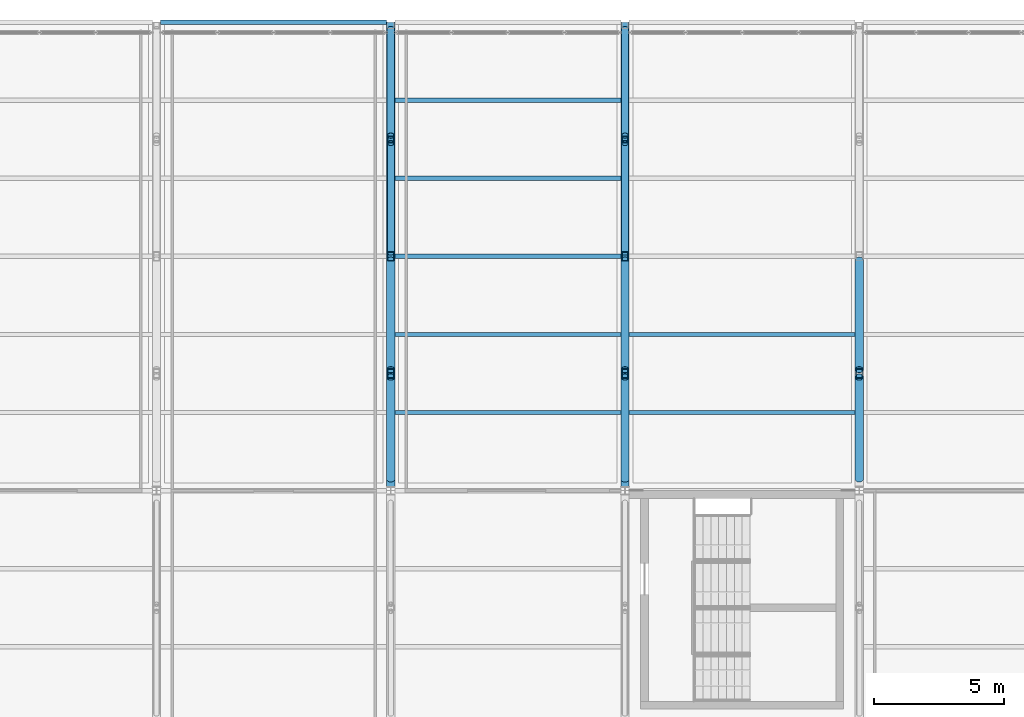
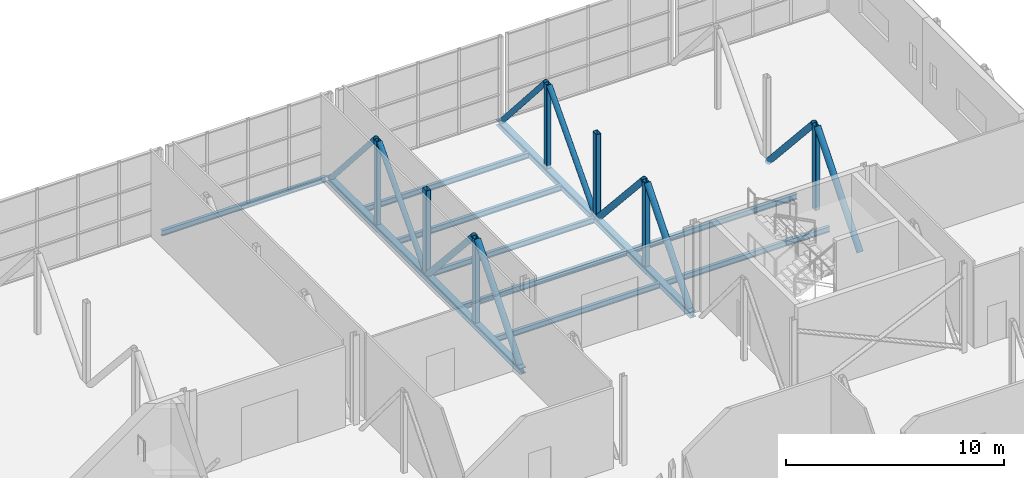
# One storey, part 66 of 94: 17 members, 10 beams.
"""IFC4 building model written with IfcOpenShell, lengths in metres."""

import ifcopenshell
import ifcopenshell.guid

model = None  # the IFC model being written
_history = None  # IfcOwnerHistory: only IFC2X3 demands one
_inside = {}  # id of a spatial element -> (the spatial element, [elements in it])
_under = {}  # id of a project, library or spatial element -> (it, [spatial elements below it])
_declared = {}  # id of a project -> (the project, [libraries it declares])
_typed = {}  # id of a type object -> (the type object, [elements of that type])
_made_of = {}  # id of a material, layer set ... -> (it, [elements and type objects made of it])


def new_model(schema):
    """Start an empty IFC model of exactly this schema.

    Asked for "IFC4X3", IfcOpenShell would pick the latest addendum, in which some entities
    have other attributes; the version numbers below select the first issue.
    IFC2X3 requires an IfcOwnerHistory on every rooted entity: one is made here for all.
    """
    global model, _history
    if schema == "IFC4X3":
        model = ifcopenshell.file(schema_version=(4, 3, 0, 0))
    else:
        model = ifcopenshell.file(schema=schema)
    _inside.clear()
    _under.clear()
    _declared.clear()
    _typed.clear()
    _made_of.clear()
    _history = None
    if model.schema == "IFC2X3":
        org = make("IfcOrganization", Name="unknown")
        user = make(
            "IfcPersonAndOrganization",
            ThePerson=make("IfcPerson", FamilyName="unknown"),
            TheOrganization=org,
        )
        app = make(
            "IfcApplication",
            ApplicationDeveloper=org,
            Version="unknown",
            ApplicationFullName="unknown",
            ApplicationIdentifier="unknown",
        )
        _history = make(
            "IfcOwnerHistory",
            OwningUser=user,
            OwningApplication=app,
            ChangeAction="ADDED",
            CreationDate=0,
        )
    return model


def make(cls, **values):
    """One entity of the class cls with the attributes given. An attribute that is None is left unset."""
    return model.create_entity(
        cls, **{name: value for name, value in values.items() if value is not None}
    )


def rooted(cls, **values):
    """An entity with a GlobalId (a new one), such as an element, a storey or a relation."""
    return make(cls, GlobalId=ifcopenshell.guid.new(), OwnerHistory=_history, **values)


def si_unit(unit_type, name, prefix=None):
    """IfcSIUnit, for example si_unit("LENGTHUNIT", "METRE", prefix="MILLI")."""
    return make("IfcSIUnit", UnitType=unit_type, Prefix=prefix, Name=name)


def assignment(units):
    """IfcUnitAssignment: the units of a project."""
    return None if units is None else make("IfcUnitAssignment", Units=units)


def point(xyz):
    """IfcCartesianPoint."""
    return None if xyz is None else make("IfcCartesianPoint", Coordinates=xyz)


def direction(xyz):
    """IfcDirection."""
    return None if xyz is None else make("IfcDirection", DirectionRatios=xyz)


def frame(location, z_axis=None, x_axis=None):
    """IfcAxis2Placement3D, a coordinate frame: its origin and axes. An axis left out is left unset."""
    return make(
        "IfcAxis2Placement3D",
        Location=point(location),
        Axis=direction(z_axis),
        RefDirection=direction(x_axis),
    )


def frame_2d(location, x_axis=None):
    """IfcAxis2Placement2D, a coordinate frame in the plane: its origin and x axis."""
    return make(
        "IfcAxis2Placement2D", Location=point(location), RefDirection=direction(x_axis)
    )


def origin():
    """The frame at (0, 0, 0) with its axes left unset."""
    return frame((0.0, 0.0, 0.0))


def origin_2d():
    """The frame at (0, 0) in the plane with its x axis left unset."""
    return frame_2d((0.0, 0.0))


def place(relative_to, where):
    """IfcLocalPlacement: puts the frame where relative to a parent placement (None: the world)."""
    return make(
        "IfcLocalPlacement", PlacementRelTo=relative_to, RelativePlacement=where
    )


def context(
    kind, dimensions, precision=None, world=None, true_north=None, identifier=None
):
    """IfcGeometricRepresentationContext, for example the 3D "Model" context."""
    return make(
        "IfcGeometricRepresentationContext",
        ContextIdentifier=identifier,
        ContextType=kind,
        CoordinateSpaceDimension=dimensions,
        Precision=precision,
        WorldCoordinateSystem=world,
        TrueNorth=true_north,
    )


def subcontext(parent, identifier, kind, view, scale=None):
    """IfcGeometricRepresentationSubContext, for example "Body" below "Model"."""
    return make(
        "IfcGeometricRepresentationSubContext",
        ContextIdentifier=identifier,
        ContextType=kind,
        ParentContext=parent,
        TargetScale=scale,
        TargetView=view,
    )


def project(units=None, contexts=None):
    """IfcProject with its units and contexts."""
    return rooted(
        "IfcProject",
        Name="project",
        RepresentationContexts=contexts,
        UnitsInContext=assignment(units),
    )


def spatial(cls, under=None, at=None, **own):
    """A site, building, storey or space (cls), placed at a placement, below another one or the project."""
    s = rooted(cls, ObjectPlacement=at, **own)
    if under is not None:
        _under.setdefault(under.id(), (under, []))[1].append(s)
    return s


def profile(cls, at=None, kind="AREA", **sizes):
    """A parametric profile (cls). Its sizes go by their IFC names, for example OverallWidth=200.0."""
    return make(cls, ProfileType=kind, Position=at, **sizes)


def hollow_rectangle(**sizes):
    """IfcRectangleHollowProfileDef."""
    return profile("IfcRectangleHollowProfileDef", **sizes)


def hollow_circle(**sizes):
    """IfcCircleHollowProfileDef."""
    return profile("IfcCircleHollowProfileDef", **sizes)


def i_section(**sizes):
    """IfcIShapeProfileDef."""
    return profile("IfcIShapeProfileDef", **sizes)


def extrude(swept, where, along, depth):
    """IfcExtrudedAreaSolid: the profile swept, set in the frame where, extruded along a direction by depth."""
    return make(
        "IfcExtrudedAreaSolid",
        SweptArea=swept,
        Position=where,
        ExtrudedDirection=direction(along),
        Depth=depth,
    )


def shape(context_of_items, identifier, shape_type, items):
    """IfcShapeRepresentation: the items that make up one representation, for example the "Body"."""
    return make(
        "IfcShapeRepresentation",
        ContextOfItems=context_of_items,
        RepresentationIdentifier=identifier,
        RepresentationType=shape_type,
        Items=items,
    )


def material(Name=None, Category=None):
    """IfcMaterial."""
    return make("IfcMaterial", Name=Name, Category=Category)


def material_profile(
    of_material, cross_section, Name=None, Category=None, Priority=None
):
    """IfcMaterialProfile: a cross section and its material."""
    return make(
        "IfcMaterialProfile",
        Name=Name,
        Material=of_material,
        Profile=cross_section,
        Priority=Priority,
        Category=Category,
    )


def profile_set(profiles, Name=None, composite=None):
    """IfcMaterialProfileSet."""
    return make(
        "IfcMaterialProfileSet",
        Name=Name,
        MaterialProfiles=profiles,
        CompositeProfile=composite,
    )


def made_of(thing, what):
    """Note that an element or type object is made of a material, layer set ...; save() writes the relation."""
    if what is not None:
        _made_of.setdefault(what.id(), (what, []))[1].append(thing)
    return thing


def type_object(cls, material=None, **own):
    """A type object (cls), such as IfcWallType, which elements share."""
    return made_of(rooted(cls, **own), material)


def element(
    cls,
    number,
    at=None,
    inside=None,
    cuts=None,
    type_object=None,
    material=None,
    context=None,
    identifier="Body",
    shape_type=None,
    held_by="IfcProductDefinitionShape",
    body=None,
    shapes=None,
    **own,
):
    """One element of the class cls, such as IfcWall. Its Tag is "e" and its number.

    at: its placement. inside: the storey or other place that contains it. cuts: it is an
    opening in that element (IfcRelVoidsElement). A single representation is given by context,
    identifier, shape_type and body (its items); several are given by shapes. held_by: the class
    of the entity that holds the representations. save() writes the other relations.
    """
    e = rooted(cls, Tag="e%d" % number, ObjectPlacement=at, **own)
    if body is not None:
        shapes = [shape(context, identifier, shape_type, body)]
    if shapes is not None:
        e.Representation = make(held_by, Representations=shapes)
    if inside is not None:
        _inside.setdefault(inside.id(), (inside, []))[1].append(e)
    if cuts is not None:
        rooted(
            "IfcRelVoidsElement", RelatingBuildingElement=cuts, RelatedOpeningElement=e
        )
    if type_object is not None:
        _typed.setdefault(type_object.id(), (type_object, []))[1].append(e)
    return made_of(e, material)


def aggregate(whole, parts):
    """IfcRelAggregates: a whole, such as a stair, and the parts it consists of."""
    return rooted("IfcRelAggregates", RelatingObject=whole, RelatedObjects=parts)


def save(model, path):
    """Write the relations noted so far, then the file.

    IfcRelAggregates (storeys below a building ...), IfcRelContainedInSpatialStructure (elements
    in a storey), IfcRelDefinesByType, IfcRelAssociatesMaterial and IfcRelDeclares: one each for
    every whole, place, type object, material and project.
    """
    for whole, parts in _under.values():
        aggregate(whole, parts)
    for where, things in _inside.values():
        rooted(
            "IfcRelContainedInSpatialStructure",
            RelatedElements=things,
            RelatingStructure=where,
        )
    for kind, things in _typed.values():
        rooted("IfcRelDefinesByType", RelatedObjects=things, RelatingType=kind)
    for what, things in _made_of.values():
        rooted("IfcRelAssociatesMaterial", RelatedObjects=things, RelatingMaterial=what)
    for by, libraries in _declared.values():
        rooted("IfcRelDeclares", RelatingContext=by, RelatedDefinitions=libraries)
    model.write(path)


model = new_model("IFC4")

# Units and contexts
model_context = context("Model", 3, precision=1e-05, world=origin(), true_north=direction((0.0, 1.0)))
body_context = subcontext(model_context, "Body", "Model", "MODEL_VIEW")
ifc_project = project(units=[si_unit("LENGTHUNIT", "METRE"), si_unit("AREAUNIT", "SQUARE_METRE"), si_unit("VOLUMEUNIT", "CUBIC_METRE"), si_unit("PLANEANGLEUNIT", "RADIAN"), si_unit("MASSUNIT", "GRAM", prefix="KILO")], contexts=[model_context])

# Site, building, storey
site_placement = place(None, origin())
site = spatial("IfcSite", under=ifc_project, at=site_placement, CompositionType="ELEMENT")
building_placement = place(site_placement, origin())
building = spatial("IfcBuilding", under=site, at=building_placement, Name="Shorebreak Coast Museum", CompositionType="ELEMENT")
storey_placement = place(building_placement, frame((0.0, 0.0, 31.0)))
storey = spatial("IfcBuildingStorey", under=building, at=storey_placement, Name="L05", CompositionType="ELEMENT", Elevation=31.0)

# Beams
ifc_material_1 = material(Name="Steel Grade 300", Category="steel")
ifc_material_profile_1 = material_profile(ifc_material_1, i_section(OverallWidth=0.166015625, OverallDepth=0.30712890625, WebThickness=0.006591796875, FlangeThickness=0.01171875, FilletRadius=0.011474609375, at=origin_2d()), Name="310UB46.2")
ifc_profile_set_1 = profile_set([ifc_material_profile_1], Name="Steel Grade 300")
beam_type_1 = type_object("IfcBeamType", Name="Floor girder east-west 310UB46.2", PredefinedType="BEAM", material=ifc_profile_set_1)
for number, where, z_axis, x_axis, name in (
    (1, (90.155517578125, 126.0, -0.32861328125), (1.0, 0.0, 0.0), (0.0, 1.0, 0.0), "Floor girder east-west L05 11R"),
    (2, (81.155517578125, 135.0, -0.32861328125), (1.0, 0.0, 0.0), (0.0, 1.0, 0.0), "Floor girder east-west L05 10S"),
):
    element("IfcBeam", number, at=place(storey_placement, frame(where, z_axis=z_axis, x_axis=x_axis)), inside=storey, type_object=beam_type_1, Name=name, PredefinedType="BEAM", context=body_context, shape_type="SweptSolid", body=[
        extrude(i_section(OverallWidth=0.166015625, OverallDepth=0.30712890625, WebThickness=0.006591796875, FlangeThickness=0.01171875, FilletRadius=0.011474609375, at=origin_2d()), origin(), (0.0, 0.0, 1.0), 8.68896484375),
    ])
ifc_material_2 = material(Name="Steel Grade 300", Category="steel")
ifc_material_profile_2 = material_profile(ifc_material_2, i_section(OverallWidth=0.166015625, OverallDepth=0.30712890625, WebThickness=0.006591796875, FlangeThickness=0.01171875, FilletRadius=0.011474609375, at=origin_2d()), Name="310UB46.2")
ifc_profile_set_2 = profile_set([ifc_material_profile_2], Name="Steel Grade 300")
beam_type_2 = type_object("IfcBeamType", Name="Floor joist 310UB46.2", PredefinedType="JOIST", material=ifc_profile_set_2)
for number, where, z_axis, x_axis, name in (
    (3, (90.155517578125, 120.0, -0.32861328125), (1.0, 0.0, 0.0), (0.0, 1.0, 0.0), "Floor joist L05 bay 11P at 3000 mm"),
    (4, (90.155517578125, 123.0, -0.32861328125), (1.0, 0.0, 0.0), (0.0, 1.0, 0.0), "Floor joist L05 bay 11P at 6000 mm"),
    (5, (99.155517578125, 120.0, -0.32861328125), (1.0, 0.0, 0.0), (0.0, 1.0, 0.0), "Floor joist L05 bay 12P at 3000 mm"),
    (6, (99.155517578125, 123.0, -0.32861328125), (1.0, 0.0, 0.0), (0.0, 1.0, 0.0), "Floor joist L05 bay 12P at 6000 mm"),
    (7, (90.155517578125, 129.0, -0.32861328125), (1.0, 0.0, 0.0), (0.0, 1.0, 0.0), "Floor joist L05 bay 11R at 3000 mm"),
    (8, (90.155517578125, 132.0, -0.32861328125), (1.0, 0.0, 0.0), (0.0, 1.0, 0.0), "Floor joist L05 bay 11R at 6000 mm"),
):
    element("IfcBeam", number, at=place(storey_placement, frame(where, z_axis=z_axis, x_axis=x_axis)), inside=storey, type_object=beam_type_2, Name=name, PredefinedType="JOIST", context=body_context, shape_type="SweptSolid", body=[
        extrude(i_section(OverallWidth=0.166015625, OverallDepth=0.30712890625, WebThickness=0.006591796875, FlangeThickness=0.01171875, FilletRadius=0.011474609375, at=origin_2d()), origin(), (0.0, 0.0, 1.0), 8.68896484375),
    ])
ifc_material_3 = material(Name="Steel Grade 300", Category="steel")
ifc_material_profile_3 = material_profile(ifc_material_3, i_section(OverallWidth=0.31103515625, OverallDepth=0.3271484375, WebThickness=0.015625, FlangeThickness=0.02490234375, FilletRadius=0.0166015625, at=origin_2d()), Name="310UC158")
ifc_profile_set_3 = profile_set([ifc_material_profile_3], Name="Steel Grade 300")
beam_type_3 = type_object("IfcBeamType", Name="Transfer truss chord 310UC158", PredefinedType="BEAM", material=ifc_profile_set_3)
for number, where, z_axis, x_axis, name in (
    (9, (90.0, 117.16357421875, -0.338623046875), (0.0, 1.0, 0.0), (-1.0, 0.0, 0.0), "Transfer truss TR5 chord C04"),
    (10, (99.0, 117.16357421875, -0.338623046875), (0.0, 1.0, 0.0), (-1.0, 0.0, 0.0), "Transfer truss TR6 chord C04"),
):
    element("IfcBeam", number, at=place(storey_placement, frame(where, z_axis=z_axis, x_axis=x_axis)), inside=storey, type_object=beam_type_3, Name=name, PredefinedType="BEAM", context=body_context, shape_type="SweptSolid", body=[
        extrude(i_section(OverallWidth=0.31103515625, OverallDepth=0.3271484375, WebThickness=0.015625, FlangeThickness=0.02490234375, FilletRadius=0.0166015625, at=origin_2d()), origin(), (0.0, 0.0, 1.0), 17.83642578125),
    ])

# Members
ifc_material_4 = material(Name="Steel Grade C350L0", Category="steel")
ifc_material_profile_4 = material_profile(ifc_material_4, hollow_circle(Radius=0.136474609375, WallThickness=0.00927734375, at=origin_2d()), Name="273.1x9.3 CHS")
ifc_profile_set_4 = profile_set([ifc_material_profile_4], Name="Steel Grade C350L0")
member_type_1 = type_object("IfcMemberType", Name="Transfer truss diagonal 273.1x9.3 CHS", PredefinedType="BRACE", material=ifc_profile_set_4)
member_1_placement = place(storey_placement, frame((90.0, 126.147216796875, -0.175048828125), z_axis=(0.0, 0.668701073602, 0.743531353854), x_axis=(-1.0, 0.0, 0.0)))
element("IfcMember", 11, at=member_1_placement, inside=storey, type_object=member_type_1, Name="Transfer truss TR5 diagonal D08", PredefinedType="BRACE", context=body_context, shape_type="SweptSolid", body=[
    extrude(hollow_circle(Radius=0.136474609375, WallThickness=0.00927734375, at=origin_2d()), origin(), (0.0, 0.0, 1.0), 6.29345703125),
])
member_2_placement = place(storey_placement, frame((90.0, 134.73193359375, -0.175048828125), z_axis=(0.0, -0.658257101964, 0.752793190534), x_axis=(1.0, 0.0, 0.0)))
element("IfcMember", 12, at=member_2_placement, inside=storey, type_object=member_type_1, Name="Transfer truss TR5 diagonal D09", PredefinedType="BRACE", context=body_context, shape_type="SweptSolid", body=[
    extrude(hollow_circle(Radius=0.136474609375, WallThickness=0.00927734375, at=origin_2d()), origin(), (0.0, 0.0, 1.0), 6.216064453125),
])
member_3_placement = place(storey_placement, frame((99.0, 126.147216796875, -0.175048828125), z_axis=(0.0, 0.668701073602, 0.743531353854), x_axis=(-1.0, 0.0, 0.0)))
element("IfcMember", 13, at=member_3_placement, inside=storey, type_object=member_type_1, Name="Transfer truss TR6 diagonal D08", PredefinedType="BRACE", context=body_context, shape_type="SweptSolid", body=[
    extrude(hollow_circle(Radius=0.136474609375, WallThickness=0.00927734375, at=origin_2d()), origin(), (0.0, 0.0, 1.0), 6.29345703125),
])
member_4_placement = place(storey_placement, frame((99.0, 134.73193359375, -0.175048828125), z_axis=(0.0, -0.658257101964, 0.752793190534), x_axis=(1.0, 0.0, 0.0)))
element("IfcMember", 14, at=member_4_placement, inside=storey, type_object=member_type_1, Name="Transfer truss TR6 diagonal D09", PredefinedType="BRACE", context=body_context, shape_type="SweptSolid", body=[
    extrude(hollow_circle(Radius=0.136474609375, WallThickness=0.00927734375, at=origin_2d()), origin(), (0.0, 0.0, 1.0), 6.216064453125),
])
ifc_material_5 = material(Name="Steel Grade C350L0", Category="steel")
ifc_material_profile_5 = material_profile(ifc_material_5, hollow_circle(Radius=0.161865234375, WallThickness=0.009521484375, at=origin_2d()), Name="323.9x9.5 CHS")
ifc_profile_set_5 = profile_set([ifc_material_profile_5], Name="Steel Grade C350L0")
member_type_2 = type_object("IfcMemberType", Name="Transfer truss diagonal 323.9x9.5 CHS", PredefinedType="BRACE", material=ifc_profile_set_5)
member_5_placement = place(storey_placement, frame((90.0, 117.450439453125, -0.175048828125), z_axis=(0.0, 0.641729837353, 0.76693077644), x_axis=(-1.0, 0.0, 0.0)))
element("IfcMember", 15, at=member_5_placement, inside=storey, type_object=member_type_2, Name="Transfer truss TR5 diagonal D06", PredefinedType="BRACE", context=body_context, shape_type="SweptSolid", body=[
    extrude(hollow_circle(Radius=0.161865234375, WallThickness=0.009521484375, at=origin_2d()), origin(), (0.0, 0.0, 1.0), 6.1015625),
])
member_6_placement = place(storey_placement, frame((90.0, 125.852783203125, -0.175048828125), z_axis=(0.0, -0.668701073602, 0.743531353854), x_axis=(1.0, 0.0, 0.0)))
element("IfcMember", 16, at=member_6_placement, inside=storey, type_object=member_type_2, Name="Transfer truss TR5 diagonal D07", PredefinedType="BRACE", context=body_context, shape_type="SweptSolid", body=[
    extrude(hollow_circle(Radius=0.161865234375, WallThickness=0.009521484375, at=origin_2d()), origin(), (0.0, 0.0, 1.0), 6.29345703125),
])
member_7_placement = place(storey_placement, frame((99.0, 117.450439453125, -0.175048828125), z_axis=(0.0, 0.641729837353, 0.76693077644), x_axis=(-1.0, 0.0, 0.0)))
element("IfcMember", 17, at=member_7_placement, inside=storey, type_object=member_type_2, Name="Transfer truss TR6 diagonal D06", PredefinedType="BRACE", context=body_context, shape_type="SweptSolid", body=[
    extrude(hollow_circle(Radius=0.161865234375, WallThickness=0.009521484375, at=origin_2d()), origin(), (0.0, 0.0, 1.0), 6.1015625),
])
member_8_placement = place(storey_placement, frame((99.0, 125.852783203125, -0.175048828125), z_axis=(0.0, -0.668701073602, 0.743531353854), x_axis=(1.0, 0.0, 0.0)))
element("IfcMember", 18, at=member_8_placement, inside=storey, type_object=member_type_2, Name="Transfer truss TR6 diagonal D07", PredefinedType="BRACE", context=body_context, shape_type="SweptSolid", body=[
    extrude(hollow_circle(Radius=0.161865234375, WallThickness=0.009521484375, at=origin_2d()), origin(), (0.0, 0.0, 1.0), 6.29345703125),
])
member_9_placement = place(storey_placement, frame((108.0, 117.450439453125, -0.175048828125), z_axis=(0.0, 0.641729837353, 0.76693077644), x_axis=(-1.0, 0.0, 0.0)))
element("IfcMember", 19, at=member_9_placement, inside=storey, type_object=member_type_2, Name="Transfer truss TR7 diagonal D06", PredefinedType="BRACE", context=body_context, shape_type="SweptSolid", body=[
    extrude(hollow_circle(Radius=0.161865234375, WallThickness=0.009521484375, at=origin_2d()), origin(), (0.0, 0.0, 1.0), 6.1015625),
])
member_10_placement = place(storey_placement, frame((108.0, 125.852783203125, -0.175048828125), z_axis=(0.0, -0.668701073602, 0.743531353854), x_axis=(1.0, 0.0, 0.0)))
element("IfcMember", 20, at=member_10_placement, inside=storey, type_object=member_type_2, Name="Transfer truss TR7 diagonal D07", PredefinedType="BRACE", context=body_context, shape_type="SweptSolid", body=[
    extrude(hollow_circle(Radius=0.161865234375, WallThickness=0.009521484375, at=origin_2d()), origin(), (0.0, 0.0, 1.0), 6.29345703125),
])
ifc_material_6 = material(Name="Steel Grade C450L0", Category="steel")
ifc_material_profile_6 = material_profile(ifc_material_6, hollow_rectangle(XDim=0.25, YDim=0.25, WallThickness=0.012451171875, InnerFilletRadius=0.018798828125, OuterFilletRadius=0.03125, at=origin_2d()), Name="250x250x12.5 SHS")
ifc_profile_set_6 = profile_set([ifc_material_profile_6], Name="Steel Grade C450L0")
member_type_3 = type_object("IfcMemberType", Name="Transfer truss strut 250x250x12.5 SHS", PredefinedType="STRUT", material=ifc_profile_set_6)
for number, where, z_axis, x_axis, name in (
    (21, (90.0, 130.5, -0.175048828125), (0.0, 0.0, 1.0), (1.0, 0.0, 0.0), "Transfer truss TR5 strut V06"),
    (22, (99.0, 130.5, -0.175048828125), (0.0, 0.0, 1.0), (1.0, 0.0, 0.0), "Transfer truss TR6 strut V06"),
):
    element("IfcMember", number, at=place(storey_placement, frame(where, z_axis=z_axis, x_axis=x_axis)), inside=storey, type_object=member_type_3, Name=name, PredefinedType="STRUT", context=body_context, shape_type="SweptSolid", body=[
        extrude(hollow_rectangle(XDim=0.25, YDim=0.25, WallThickness=0.012451171875, InnerFilletRadius=0.018798828125, OuterFilletRadius=0.03125, at=origin_2d()), origin(), (0.0, 0.0, 1.0), 4.679443359375),
    ])
ifc_material_7 = material(Name="Steel Grade C450L0", Category="steel")
ifc_material_profile_7 = material_profile(ifc_material_7, hollow_rectangle(XDim=0.25, YDim=0.35009765625, WallThickness=0.012451171875, InnerFilletRadius=0.018798828125, OuterFilletRadius=0.03125, at=origin_2d()), Name="350x250x12.5 RHS")
ifc_profile_set_7 = profile_set([ifc_material_profile_7], Name="Steel Grade C450L0")
member_type_4 = type_object("IfcMemberType", Name="Transfer truss strut 350x250x12.5 RHS", PredefinedType="STRUT", material=ifc_profile_set_7)
for number, where, z_axis, x_axis, name in (
    (23, (90.0, 121.5, -0.175048828125), (0.0, 0.0, 1.0), (1.0, 0.0, 0.0), "Transfer truss TR5 strut V04"),
    (24, (90.0, 126.0, -0.175048828125), (0.0, 0.0, 1.0), (1.0, 0.0, 0.0), "Transfer truss TR5 strut V05"),
    (25, (99.0, 121.5, -0.175048828125), (0.0, 0.0, 1.0), (1.0, 0.0, 0.0), "Transfer truss TR6 strut V04"),
    (26, (99.0, 126.0, -0.175048828125), (0.0, 0.0, 1.0), (1.0, 0.0, 0.0), "Transfer truss TR6 strut V05"),
    (27, (108.0, 121.5, -0.175048828125), (0.0, 0.0, 1.0), (1.0, 0.0, 0.0), "Transfer truss TR7 strut V04"),
):
    element("IfcMember", number, at=place(storey_placement, frame(where, z_axis=z_axis, x_axis=x_axis)), inside=storey, type_object=member_type_4, Name=name, PredefinedType="STRUT", context=body_context, shape_type="SweptSolid", body=[
        extrude(hollow_rectangle(XDim=0.25, YDim=0.35009765625, WallThickness=0.012451171875, InnerFilletRadius=0.018798828125, OuterFilletRadius=0.03125, at=origin_2d()), origin(), (0.0, 0.0, 1.0), 4.679443359375),
    ])

save(model, "model.ifc")
